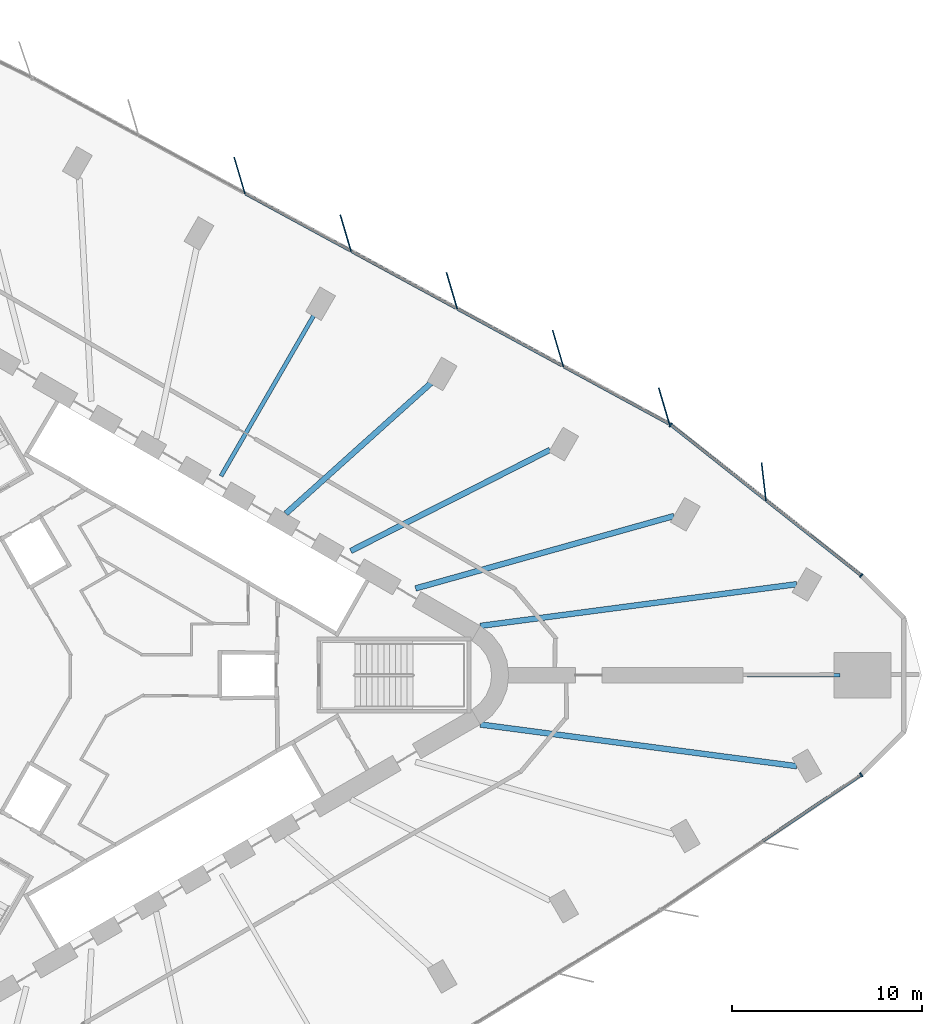
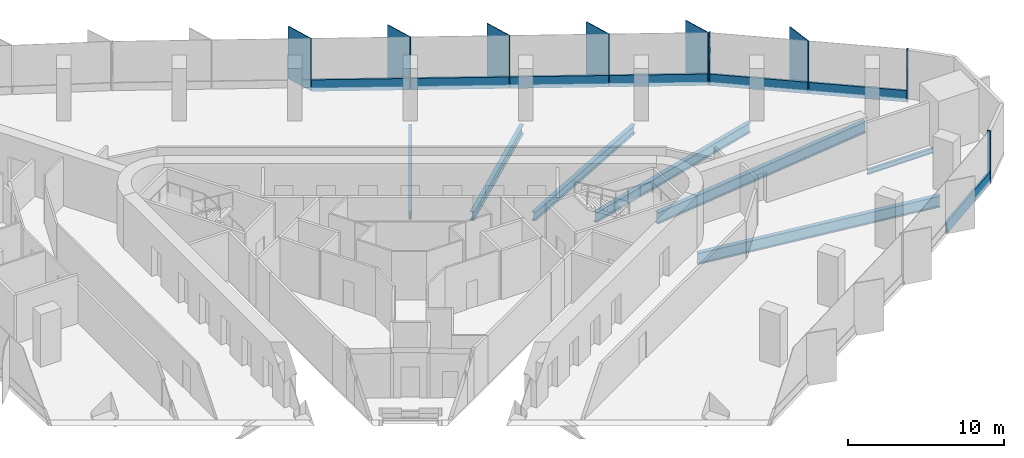
# One storey, part 5 of 14: 16 members, 7 beams, 3 elements without a shape of their own.
"""IFC4 building model written with IfcOpenShell, lengths in metres."""

from ifc_helpers import new_model, si_unit, direction, frame, origin, origin_2d, place, context, subcontext, project, spatial, rectangle, i_section, extrude, material, material_profile, profile_set, type_object, element, aggregate, save


model = new_model("IFC4")

# Units and contexts
model_context = context("Model", 3, precision=1e-05, world=origin(), true_north=direction((0.0, 1.0)))
body_context = subcontext(model_context, "Body", "Model", "MODEL_VIEW")
ifc_project = project(units=[si_unit("LENGTHUNIT", "METRE"), si_unit("AREAUNIT", "SQUARE_METRE"), si_unit("VOLUMEUNIT", "CUBIC_METRE"), si_unit("PLANEANGLEUNIT", "RADIAN"), si_unit("MASSUNIT", "GRAM", prefix="KILO")], contexts=[model_context])

# Site, building, storey
site_placement = place(None, origin())
site = spatial("IfcSite", under=ifc_project, at=site_placement, CompositionType="ELEMENT")
building_placement = place(site_placement, origin())
building = spatial("IfcBuilding", under=site, at=building_placement, Name="Tanit Gate Tower", CompositionType="ELEMENT")
storey_placement = place(building_placement, frame((0.0, 0.0, 143.89990234375)))
storey = spatial("IfcBuildingStorey", under=building, at=storey_placement, Name="L31", CompositionType="ELEMENT", Elevation=143.89990234375)

# Curtain wall, member
ifc_material_1 = material(Name="Aluminium bronze anodised and glass", Category="aluminium")
curtain_wall_type = type_object("IfcCurtainWallType", Name="Curtain wall typical low", PredefinedType="NOTDEFINED", material=ifc_material_1)
curtain_wall_1_placement = place(storey_placement, origin())
curtain_wall_1 = element("IfcCurtainWall", 1, at=curtain_wall_1_placement, inside=storey, type_object=curtain_wall_type, Name="Curtain wall L31 NE1", PredefinedType="NOTDEFINED")
ifc_material_2 = material(Name="Aluminium bronze anodised", Category="aluminium")
ifc_material_profile_1 = material_profile(ifc_material_2, rectangle(XDim=2.0, YDim=0.055908203125, at=origin_2d()), Name="56x2000 bronze fin mullion")
ifc_profile_set_1 = profile_set([ifc_material_profile_1], Name="Aluminium bronze anodised")
member_type_1 = type_object("IfcMemberType", Name="FIN MULLION 56x2000 bronze", PredefinedType="MULLION", material=ifc_profile_set_1)
member_1_placement = place(storey_placement, frame((34.624755859375, 10.18505859375, -0.2998046875), z_axis=(0.0, 0.0, 1.0), x_axis=(0.115806161098, -0.993271832406, 0.0)))
member_1 = element("IfcMember", 2, at=member_1_placement, type_object=member_type_1, Name="Fin mullion L31 NE1.2", PredefinedType="MULLION", context=body_context, shape_type="SweptSolid", body=[
    extrude(rectangle(XDim=2.0, YDim=0.055908203125, at=origin_2d()), origin(), (0.0, 0.0, 1.0), 4.099853515625),
])

# Curtain wall, members
curtain_wall_2_placement = place(storey_placement, origin())
curtain_wall_2 = element("IfcCurtainWall", 3, at=curtain_wall_2_placement, inside=storey, type_object=curtain_wall_type, Name="Curtain wall L31 NE2", PredefinedType="NOTDEFINED")
member_2_placement = place(storey_placement, frame((29.380615234375, 14.161865234375, -0.2998046875), z_axis=(0.0, 0.0, 1.0), x_axis=(0.28377270479, -0.958891574692, 0.0)))
member_2 = element("IfcMember", 4, at=member_2_placement, type_object=member_type_1, Name="Fin mullion L31 NE2.1", PredefinedType="MULLION", context=body_context, shape_type="SweptSolid", body=[
    extrude(rectangle(XDim=2.0, YDim=0.055908203125, at=origin_2d()), origin(), (0.0, 0.0, 1.0), 4.099853515625),
])
member_3_placement = place(storey_placement, frame((23.79248046875, 17.197998046875, -0.2998046875), z_axis=(0.0, 0.0, 1.0), x_axis=(0.28377270479, -0.958891574692, 0.0)))
member_3 = element("IfcMember", 5, at=member_3_placement, type_object=member_type_1, Name="Fin mullion L31 NE2.2", PredefinedType="MULLION", context=body_context, shape_type="SweptSolid", body=[
    extrude(rectangle(XDim=2.0, YDim=0.055908203125, at=origin_2d()), origin(), (0.0, 0.0, 1.0), 4.099853515625),
])
member_4_placement = place(storey_placement, frame((18.2041015625, 20.234130859375, -0.2998046875), z_axis=(0.0, 0.0, 1.0), x_axis=(0.28377270479, -0.958891574692, 0.0)))
member_4 = element("IfcMember", 6, at=member_4_placement, type_object=member_type_1, Name="Fin mullion L31 NE2.3", PredefinedType="MULLION", context=body_context, shape_type="SweptSolid", body=[
    extrude(rectangle(XDim=2.0, YDim=0.055908203125, at=origin_2d()), origin(), (0.0, 0.0, 1.0), 4.099853515625),
])
member_5_placement = place(storey_placement, frame((12.61572265625, 23.27001953125, -0.2998046875), z_axis=(0.0, 0.0, 1.0), x_axis=(0.28377270479, -0.958891574692, 0.0)))
member_5 = element("IfcMember", 7, at=member_5_placement, type_object=member_type_1, Name="Fin mullion L31 NE2.4", PredefinedType="MULLION", context=body_context, shape_type="SweptSolid", body=[
    extrude(rectangle(XDim=2.0, YDim=0.055908203125, at=origin_2d()), origin(), (0.0, 0.0, 1.0), 4.099853515625),
])
member_6_placement = place(storey_placement, frame((7.02734375, 26.30615234375, -0.2998046875), z_axis=(0.0, 0.0, 1.0), x_axis=(0.28377270479, -0.958891574692, 0.0)))
member_6 = element("IfcMember", 8, at=member_6_placement, type_object=member_type_1, Name="Fin mullion L31 NE2.5", PredefinedType="MULLION", context=body_context, shape_type="SweptSolid", body=[
    extrude(rectangle(XDim=2.0, YDim=0.055908203125, at=origin_2d()), origin(), (0.0, 0.0, 1.0), 4.099853515625),
])

# Member
ifc_material_3 = material(Name="Aluminium bronze anodised", Category="aluminium")
ifc_material_profile_2 = material_profile(ifc_material_3, rectangle(XDim=0.239990234375, YDim=0.080078125, at=origin_2d()), Name="80x240 bronze mullion")
ifc_profile_set_2 = profile_set([ifc_material_profile_2], Name="Aluminium bronze anodised")
member_type_2 = type_object("IfcMemberType", Name="Mullion 80x240 typical low", PredefinedType="MULLION", material=ifc_profile_set_2)
member_7_placement = place(storey_placement, frame((39.75146484375, 5.247802734375, -0.2998046875), z_axis=(0.0, 0.0, 1.0), x_axis=(-0.620461926441, -0.784236570072, 0.0)))
member_7 = element("IfcMember", 9, at=member_7_placement, type_object=member_type_2, Name="Mullion L31 NE1.1", PredefinedType="MULLION", context=body_context, shape_type="SweptSolid", body=[
    extrude(rectangle(XDim=0.239990234375, YDim=0.080078125, at=origin_2d()), origin(), (0.0, 0.0, 1.0), 4.099853515625),
])

member_8_placement = place(storey_placement, frame((29.724609375, 13.180908203125, -0.2998046875), z_axis=(0.0, 0.0, 1.0), x_axis=(-0.620461926441, -0.784236570072, 0.0)))
member_8 = element("IfcMember", 10, at=member_8_placement, type_object=member_type_2, Name="Mullion L31 NE1.3", PredefinedType="MULLION", context=body_context, shape_type="SweptSolid", body=[
    extrude(rectangle(XDim=0.239990234375, YDim=0.080078125, at=origin_2d()), origin(), (0.0, 0.0, 1.0), 4.099853515625),
])

# Curtain wall, member
curtain_wall_3_placement = place(storey_placement, origin())
curtain_wall_3 = element("IfcCurtainWall", 11, at=curtain_wall_3_placement, inside=storey, type_object=curtain_wall_type, Name="Curtain wall L31 SE3", PredefinedType="NOTDEFINED")
member_9_placement = place(storey_placement, frame((39.7529296875, -5.2421875, -0.2998046875), z_axis=(0.0, 0.0, 1.0), x_axis=(-0.558407554309, 0.82956675638, 0.0)))
member_9 = element("IfcMember", 12, at=member_9_placement, type_object=member_type_2, Name="Mullion L31 SE3.3", PredefinedType="MULLION", context=body_context, shape_type="SweptSolid", body=[
    extrude(rectangle(XDim=0.239990234375, YDim=0.080078125, at=origin_2d()), origin(), (0.0, 0.0, 1.0), 4.099853515625),
])

# Beams
ifc_material_4 = material(Name="Steel S355", Category="steel")
ifc_material_profile_3 = material_profile(ifc_material_4, i_section(OverallWidth=0.300048828125, OverallDepth=0.68994140625, WebThickness=0.014404296875, FlangeThickness=0.027099609375, FilletRadius=0.027099609375, at=origin_2d()), Name="HEA 700")
ifc_profile_set_3 = profile_set([ifc_material_profile_3], Name="Steel S355")
beam_type_1 = type_object("IfcBeamType", Name="RADIAL GIRDER HEA 700 S355", PredefinedType="BEAM", material=ifc_profile_set_3)
beam_1_placement = place(storey_placement, frame((23.3720703125, 11.865966796875, -0.64501953125), z_axis=(-0.891663548412, -0.452698703813, 0.0), x_axis=(0.452698703813, -0.891663548412, 0.0)))
element("IfcBeam", 13, at=beam_1_placement, inside=storey, type_object=beam_type_1, Name="RADIAL GIRDER", PredefinedType="BEAM", context=body_context, shape_type="SweptSolid", body=[
    extrude(i_section(OverallWidth=0.300048828125, OverallDepth=0.68994140625, WebThickness=0.014404296875, FlangeThickness=0.027099609375, FilletRadius=0.027099609375, at=origin_2d()), origin(), (0.0, 0.0, 1.0), 11.76806640625),
])
beam_2_placement = place(storey_placement, frame((17.16015625, 15.427978515625, -0.64501953125), z_axis=(-0.743635434567, -0.668585327731, 0.0), x_axis=(0.668585327731, -0.743635434567, 0.0)))
element("IfcBeam", 14, at=beam_2_placement, inside=storey, type_object=beam_type_1, Name="RADIAL GIRDER", PredefinedType="BEAM", context=body_context, shape_type="SweptSolid", body=[
    extrude(i_section(OverallWidth=0.300048828125, OverallDepth=0.68994140625, WebThickness=0.014404296875, FlangeThickness=0.027099609375, FilletRadius=0.027099609375, at=origin_2d()), origin(), (0.0, 0.0, 1.0), 10.347900390625),
])
ifc_material_5 = material(Name="Steel S355", Category="steel")
ifc_material_profile_4 = material_profile(ifc_material_5, i_section(OverallWidth=0.300048828125, OverallDepth=0.7900390625, WebThickness=0.014892578125, FlangeThickness=0.028076171875, FilletRadius=0.030029296875, at=origin_2d()), Name="HEA 800")
ifc_profile_set_4 = profile_set([ifc_material_profile_4], Name="Steel S355")
beam_type_2 = type_object("IfcBeamType", Name="RADIAL GIRDER HEA 800 S355", PredefinedType="BEAM", material=ifc_profile_set_4)
beam_3_placement = place(storey_placement, frame((29.894775390625, 8.380615234375, -0.69482421875), z_axis=(-0.962877094129, -0.269940181523, 0.0), x_axis=(0.269940181523, -0.962877094129, 0.0)))
element("IfcBeam", 15, at=beam_3_placement, inside=storey, type_object=beam_type_2, Name="RADIAL GIRDER", PredefinedType="BEAM", context=body_context, shape_type="SweptSolid", body=[
    extrude(i_section(OverallWidth=0.300048828125, OverallDepth=0.7900390625, WebThickness=0.014892578125, FlangeThickness=0.028076171875, FilletRadius=0.030029296875, at=origin_2d()), origin(), (0.0, 0.0, 1.0), 14.126220703125),
])
ifc_material_6 = material(Name="Steel S355", Category="steel")
ifc_material_profile_5 = material_profile(ifc_material_6, i_section(OverallWidth=0.300048828125, OverallDepth=0.889892578125, WebThickness=0.01611328125, FlangeThickness=0.030029296875, FilletRadius=0.030029296875, at=origin_2d()), Name="HEA 900")
ifc_profile_set_5 = profile_set([ifc_material_profile_5], Name="Steel S355")
beam_type_3 = type_object("IfcBeamType", Name="RADIAL GIRDER HEA 900 S355", PredefinedType="BEAM", material=ifc_profile_set_5)
for number, where, z_axis, x_axis, name in (
    (16, (36.356689453125, -4.790283203125, -0.744873046875), (-0.991429984953, 0.130639140137, 0.0), (-0.130639140137, -0.991429984953, 0.0), "RADIAL GIRDER"),
    (17, (36.356689453125, 4.790283203125, -0.744873046875), (-0.991429984953, -0.130639140137, 0.0), (0.130639140137, -0.991429984953, 0.0), "RADIAL GIRDER"),
):
    element("IfcBeam", number, at=place(storey_placement, frame(where, z_axis=z_axis, x_axis=x_axis)), inside=storey, type_object=beam_type_3, Name=name, PredefinedType="BEAM", context=body_context, shape_type="SweptSolid", body=[
        extrude(i_section(OverallWidth=0.300048828125, OverallDepth=0.889892578125, WebThickness=0.01611328125, FlangeThickness=0.030029296875, FilletRadius=0.030029296875, at=origin_2d()), origin(), (0.0, 0.0, 1.0), 16.795166015625),
    ])
ifc_material_7 = material(Name="Steel S355", Category="steel")
ifc_material_profile_6 = material_profile(ifc_material_7, i_section(OverallWidth=0.179931640625, OverallDepth=0.39990234375, WebThickness=0.008544921875, FlangeThickness=0.013427734375, FilletRadius=0.02099609375, at=origin_2d()), Name="IPE 400")
ifc_profile_set_6 = profile_set([ifc_material_profile_6], Name="Steel S355")
beam_type_4 = type_object("IfcBeamType", Name="RADIAL GIRDER IPE 400 S355", PredefinedType="BEAM", material=ifc_profile_set_6)
beam_4_placement = place(storey_placement, frame((38.627685546875, 0.0, -0.5), z_axis=(-1.0, 0.0, 0.0), x_axis=(0.0, -1.0, 0.0)))
element("IfcBeam", 18, at=beam_4_placement, inside=storey, type_object=beam_type_4, Name="RADIAL GIRDER", PredefinedType="BEAM", context=body_context, shape_type="SweptSolid", body=[
    extrude(i_section(OverallWidth=0.179931640625, OverallDepth=0.39990234375, WebThickness=0.008544921875, FlangeThickness=0.013427734375, FilletRadius=0.02099609375, at=origin_2d()), origin(), (0.0, 0.0, 1.0), 4.879638671875),
])
ifc_material_8 = material(Name="Steel S355", Category="steel")
ifc_material_profile_7 = material_profile(ifc_material_8, i_section(OverallWidth=0.219970703125, OverallDepth=0.60009765625, WebThickness=0.011962890625, FlangeThickness=0.01904296875, FilletRadius=0.02392578125, at=origin_2d()), Name="IPE 600")
ifc_profile_set_7 = profile_set([ifc_material_profile_7], Name="Steel S355")
beam_type_5 = type_object("IfcBeamType", Name="RADIAL GIRDER IPE 600 S355", PredefinedType="BEAM", material=ifc_profile_set_7)
beam_5_placement = place(storey_placement, frame((10.970703125, 19.001708984375, -0.599853515625), z_axis=(-0.500005971936, -0.866021955858, 0.0), x_axis=(0.866021955858, -0.500005971936, 0.0)))
element("IfcBeam", 19, at=beam_5_placement, inside=storey, type_object=beam_type_5, Name="RADIAL GIRDER", PredefinedType="BEAM", context=body_context, shape_type="SweptSolid", body=[
    extrude(i_section(OverallWidth=0.219970703125, OverallDepth=0.60009765625, WebThickness=0.011962890625, FlangeThickness=0.01904296875, FilletRadius=0.02392578125, at=origin_2d()), origin(), (0.0, 0.0, 1.0), 9.83935546875),
])

# Member
ifc_material_9 = material(Name="Aluminium bronze anodised", Category="aluminium")
ifc_material_profile_8 = material_profile(ifc_material_9, rectangle(XDim=0.159912109375, YDim=0.89990234375, at=origin_2d()), Name="160x900 bronze transom")
ifc_profile_set_8 = profile_set([ifc_material_profile_8], Name="Aluminium bronze anodised")
member_type_3 = type_object("IfcMemberType", Name="Transom 160x900 typical low", PredefinedType="USERDEFINED", material=ifc_profile_set_8)
member_10_placement = place(storey_placement, frame((39.72021484375, 5.272705078125, 0.150146484375), z_axis=(-0.784241840796, 0.620455264419, 0.0), x_axis=(-0.620455264419, -0.784241840796, 0.0)))
member_10 = element("IfcMember", 20, at=member_10_placement, type_object=member_type_3, Name="Transom L31 NE1.1", ObjectType="TRANSOM", PredefinedType="USERDEFINED", context=body_context, shape_type="SweptSolid", body=[
    extrude(rectangle(XDim=0.159912109375, YDim=0.89990234375, at=origin_2d()), origin(), (0.0, 0.0, 1.0), 6.312744140625),
])

member_11_placement = place(storey_placement, frame((34.706787109375, 9.2392578125, 0.150146484375), z_axis=(-0.784256728443, 0.620436446295, 0.0), x_axis=(-0.620436446295, -0.784256728443, 0.0)))
member_11 = element("IfcMember", 21, at=member_11_placement, type_object=member_type_3, Name="Transom L31 NE1.2", ObjectType="TRANSOM", PredefinedType="USERDEFINED", context=body_context, shape_type="SweptSolid", body=[
    extrude(rectangle(XDim=0.159912109375, YDim=0.89990234375, at=origin_2d()), origin(), (0.0, 0.0, 1.0), 6.31298828125),
])

aggregate(curtain_wall_1, [member_7, member_1, member_8, member_10, member_11])

member_12_placement = place(storey_placement, frame((29.623046875, 13.243896484375, 0.150146484375), z_axis=(-0.878701089496, 0.477372386422, 0.0), x_axis=(-0.477372386422, -0.878701089496, 0.0)))
member_12 = element("IfcMember", 22, at=member_12_placement, type_object=member_type_3, Name="Transom L31 NE2.1", ObjectType="TRANSOM", PredefinedType="USERDEFINED", context=body_context, shape_type="SweptSolid", body=[
    extrude(rectangle(XDim=0.159912109375, YDim=0.89990234375, at=origin_2d()), origin(), (0.0, 0.0, 1.0), 6.27978515625),
])

member_13_placement = place(storey_placement, frame((24.03466796875, 16.27978515625, 0.150146484375), z_axis=(-0.878684781584, 0.477402403232, 0.0), x_axis=(-0.477402403232, -0.878684781584, 0.0)))
member_13 = element("IfcMember", 23, at=member_13_placement, type_object=member_type_3, Name="Transom L31 NE2.2", ObjectType="TRANSOM", PredefinedType="USERDEFINED", context=body_context, shape_type="SweptSolid", body=[
    extrude(rectangle(XDim=0.159912109375, YDim=0.89990234375, at=origin_2d()), origin(), (0.0, 0.0, 1.0), 6.280029296875),
])

member_14_placement = place(storey_placement, frame((18.4462890625, 19.31591796875, 0.150146484375), z_axis=(-0.878701089496, 0.477372386422, 0.0), x_axis=(-0.477372386422, -0.878701089496, 0.0)))
member_14 = element("IfcMember", 24, at=member_14_placement, type_object=member_type_3, Name="Transom L31 NE2.3", ObjectType="TRANSOM", PredefinedType="USERDEFINED", context=body_context, shape_type="SweptSolid", body=[
    extrude(rectangle(XDim=0.159912109375, YDim=0.89990234375, at=origin_2d()), origin(), (0.0, 0.0, 1.0), 6.27978515625),
])

member_15_placement = place(storey_placement, frame((12.85791015625, 22.35205078125, 0.150146484375), z_axis=(-0.878701089496, 0.477372386422, 0.0), x_axis=(-0.477372386422, -0.878701089496, 0.0)))
member_15 = element("IfcMember", 25, at=member_15_placement, type_object=member_type_3, Name="Transom L31 NE2.4", ObjectType="TRANSOM", PredefinedType="USERDEFINED", context=body_context, shape_type="SweptSolid", body=[
    extrude(rectangle(XDim=0.159912109375, YDim=0.89990234375, at=origin_2d()), origin(), (0.0, 0.0, 1.0), 6.27978515625),
])

aggregate(curtain_wall_2, [member_2, member_3, member_4, member_5, member_6, member_12, member_13, member_14, member_15])

member_16_placement = place(storey_placement, frame((34.525634765625, -8.7607421875, 0.150146484375), z_axis=(0.829564474487, 0.55841094426, 0.0), x_axis=(-0.55841094426, 0.829564474487, 0.0)))
member_16 = element("IfcMember", 26, at=member_16_placement, type_object=member_type_3, Name="Transom L31 SE3.2", ObjectType="TRANSOM", PredefinedType="USERDEFINED", context=body_context, shape_type="SweptSolid", body=[
    extrude(rectangle(XDim=0.159912109375, YDim=0.89990234375, at=origin_2d()), origin(), (0.0, 0.0, 1.0), 6.26123046875),
])

aggregate(curtain_wall_3, [member_9, member_16])

save(model, "model.ifc")
